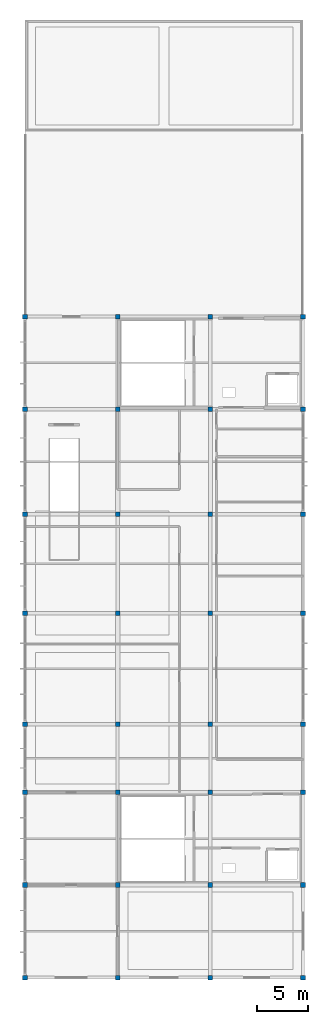
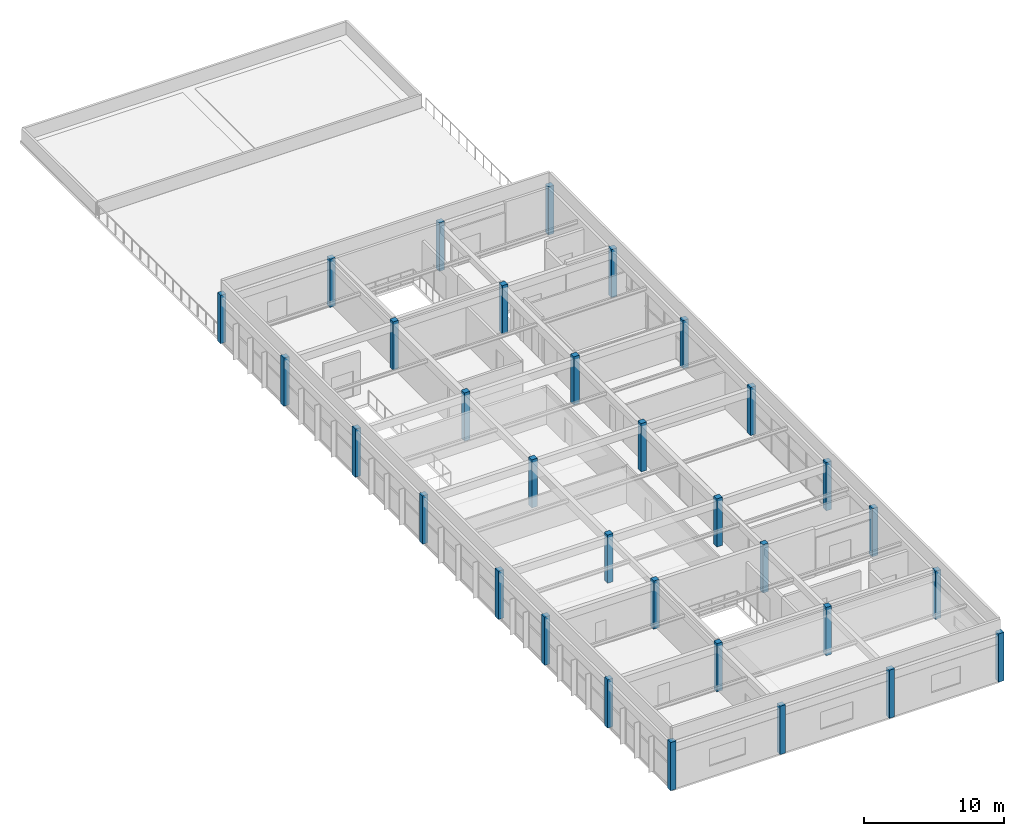
# One storey, part 1 of 10: 32 columns.
"""IFC4 building model written with IfcOpenShell, lengths in metres."""

from ifc_helpers import new_model, si_unit, direction, frame, origin, origin_2d, place, context, subcontext, project, spatial, rectangle, extrude, material, material_profile, profile_set, type_object, element, save


model = new_model("IFC4")

# Units and contexts
model_context = context("Model", 3, precision=1e-05, world=origin(), true_north=direction((0.0, 1.0)))
body_context = subcontext(model_context, "Body", "Model", "MODEL_VIEW")
ifc_project = project(units=[si_unit("LENGTHUNIT", "METRE"), si_unit("AREAUNIT", "SQUARE_METRE"), si_unit("VOLUMEUNIT", "CUBIC_METRE"), si_unit("PLANEANGLEUNIT", "RADIAN"), si_unit("MASSUNIT", "GRAM", prefix="KILO")], contexts=[model_context])

# Site, building, storey
site_placement = place(None, origin())
site = spatial("IfcSite", under=ifc_project, at=site_placement, CompositionType="ELEMENT")
building_placement = place(site_placement, origin())
building = spatial("IfcBuilding", under=site, at=building_placement, Name="Suirenkawa Promenade Aquatics Centre", CompositionType="ELEMENT")
storey_placement = place(building_placement, frame((0.0, 0.0, 18.60009765625)))
storey = spatial("IfcBuildingStorey", under=building, at=storey_placement, Name="L04", CompositionType="ELEMENT", Elevation=18.60009765625)

# Columns
ifc_material = material(Name="Concrete M40", Category="concrete")
ifc_material_profile = material_profile(ifc_material, rectangle(XDim=0.449951171875, YDim=0.449951171875, at=origin_2d()), Name="RC COL 450x450", Category="concrete")
ifc_profile_set = profile_set([ifc_material_profile], Name="Concrete M40")
column_type = type_object("IfcColumnType", Name="CT-RC-450", PredefinedType="COLUMN", material=ifc_profile_set)
for number, where, z_axis, x_axis, name in (
    (1, (0.0, 4.199951171875, 0.0), (0.0, 0.0, 1.0), (1.0, 0.0, 0.0), "Column CL-01 COL-0165"),
    (2, (0.0, 13.199951171875, 0.0), (0.0, 0.0, 1.0), (1.0, 0.0, 0.0), "Column CL-01 COL-0171"),
    (3, (0.0, 22.199951171875, 0.0), (0.0, 0.0, 1.0), (1.0, 0.0, 0.0), "Column CL-01 COL-0177"),
    (4, (0.0, 28.800048828125, 0.0), (0.0, 0.0, 1.0), (1.0, 0.0, 0.0), "Column CL-01 COL-0183"),
    (5, (0.0, 39.60009765625, 0.0), (0.0, 0.0, 1.0), (1.0, 0.0, 0.0), "Column CL-01 COL-0189"),
    (6, (0.0, 49.199951171875, 0.0), (0.0, 0.0, 1.0), (1.0, 0.0, 0.0), "Column CL-01 COL-0195"),
    (7, (0.0, 59.39990234375, 0.0), (0.0, 0.0, 1.0), (1.0, 0.0, 0.0), "Column CL-01 COL-0201"),
    (8, (0.0, 68.39990234375, 0.0), (0.0, 0.0, 1.0), (1.0, 0.0, 0.0), "Column CL-01 COL-0207"),
    (9, (9.0, 4.199951171875, 0.0), (0.0, 0.0, 1.0), (1.0, 0.0, 0.0), "Column CL-01 COL-0213"),
    (10, (9.0, 13.199951171875, 0.0), (0.0, 0.0, 1.0), (1.0, 0.0, 0.0), "Column CL-01 COL-0219"),
    (11, (9.0, 22.199951171875, 0.0), (0.0, 0.0, 1.0), (1.0, 0.0, 0.0), "Column CL-01 COL-0225"),
    (12, (9.0, 28.800048828125, 0.0), (0.0, 0.0, 1.0), (1.0, 0.0, 0.0), "Column CL-01 COL-0231"),
    (13, (9.0, 39.60009765625, 0.0), (0.0, 0.0, 1.0), (1.0, 0.0, 0.0), "Column CL-01 COL-0237"),
    (14, (9.0, 49.199951171875, 0.0), (0.0, 0.0, 1.0), (1.0, 0.0, 0.0), "Column CL-01 COL-0243"),
    (15, (9.0, 59.39990234375, 0.0), (0.0, 0.0, 1.0), (1.0, 0.0, 0.0), "Column CL-01 COL-0249"),
    (16, (9.0, 68.39990234375, 0.0), (0.0, 0.0, 1.0), (1.0, 0.0, 0.0), "Column CL-01 COL-0255"),
    (17, (18.0, 4.199951171875, 0.0), (0.0, 0.0, 1.0), (1.0, 0.0, 0.0), "Column CL-01 COL-0261"),
    (18, (18.0, 13.199951171875, 0.0), (0.0, 0.0, 1.0), (1.0, 0.0, 0.0), "Column CL-01 COL-0267"),
    (19, (18.0, 22.199951171875, 0.0), (0.0, 0.0, 1.0), (1.0, 0.0, 0.0), "Column CL-01 COL-0273"),
    (20, (18.0, 28.800048828125, 0.0), (0.0, 0.0, 1.0), (1.0, 0.0, 0.0), "Column CL-01 COL-0279"),
    (21, (18.0, 39.60009765625, 0.0), (0.0, 0.0, 1.0), (1.0, 0.0, 0.0), "Column CL-01 COL-0285"),
    (22, (18.0, 49.199951171875, 0.0), (0.0, 0.0, 1.0), (1.0, 0.0, 0.0), "Column CL-01 COL-0291"),
    (23, (18.0, 59.39990234375, 0.0), (0.0, 0.0, 1.0), (1.0, 0.0, 0.0), "Column CL-01 COL-0297"),
    (24, (18.0, 68.39990234375, 0.0), (0.0, 0.0, 1.0), (1.0, 0.0, 0.0), "Column CL-01 COL-0303"),
    (25, (27.0, 4.199951171875, 0.0), (0.0, 0.0, 1.0), (1.0, 0.0, 0.0), "Column CL-01 COL-0309"),
    (26, (27.0, 13.199951171875, 0.0), (0.0, 0.0, 1.0), (1.0, 0.0, 0.0), "Column CL-01 COL-0315"),
    (27, (27.0, 22.199951171875, 0.0), (0.0, 0.0, 1.0), (1.0, 0.0, 0.0), "Column CL-01 COL-0321"),
    (28, (27.0, 28.800048828125, 0.0), (0.0, 0.0, 1.0), (1.0, 0.0, 0.0), "Column CL-01 COL-0327"),
    (29, (27.0, 39.60009765625, 0.0), (0.0, 0.0, 1.0), (1.0, 0.0, 0.0), "Column CL-01 COL-0333"),
    (30, (27.0, 49.199951171875, 0.0), (0.0, 0.0, 1.0), (1.0, 0.0, 0.0), "Column CL-01 COL-0339"),
    (31, (27.0, 59.39990234375, 0.0), (0.0, 0.0, 1.0), (1.0, 0.0, 0.0), "Column CL-01 COL-0345"),
    (32, (27.0, 68.39990234375, 0.0), (0.0, 0.0, 1.0), (1.0, 0.0, 0.0), "Column CL-01 COL-0351"),
):
    element("IfcColumn", number, at=place(storey_placement, frame(where, z_axis=z_axis, x_axis=x_axis)), inside=storey, type_object=column_type, Name=name, PredefinedType="COLUMN", context=body_context, shape_type="SweptSolid", body=[
        extrude(rectangle(XDim=0.449951171875, YDim=0.449951171875, at=origin_2d()), origin(), (0.0, 0.0, 1.0), 4.199951171875),
    ])

save(model, "model.ifc")
